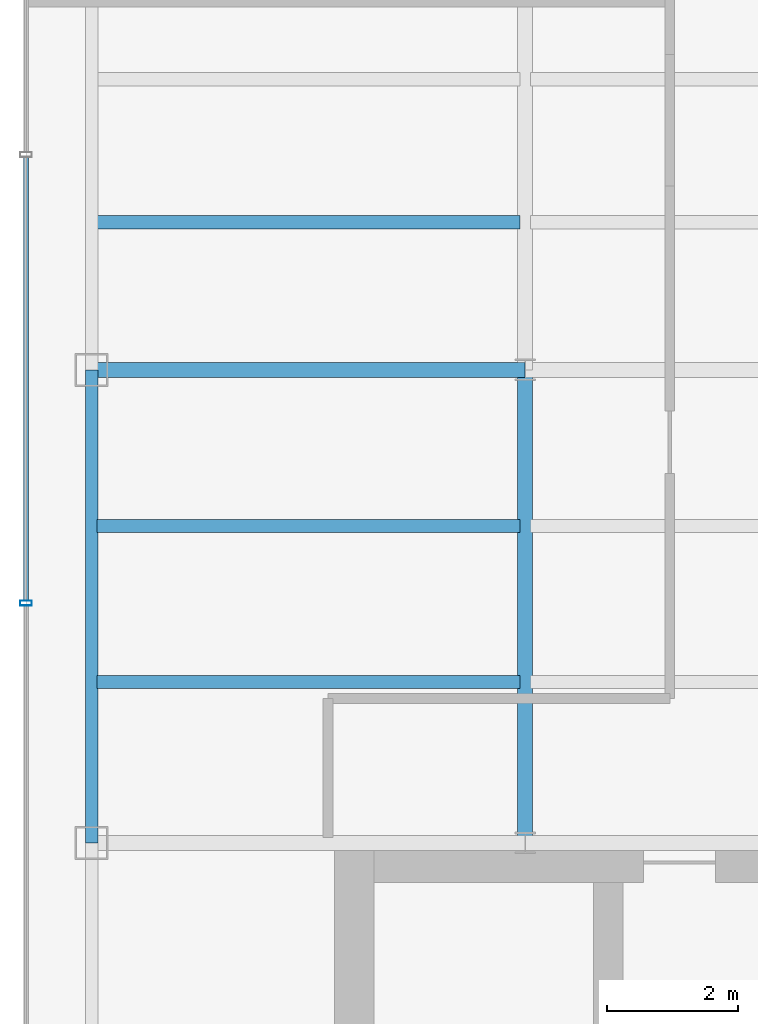
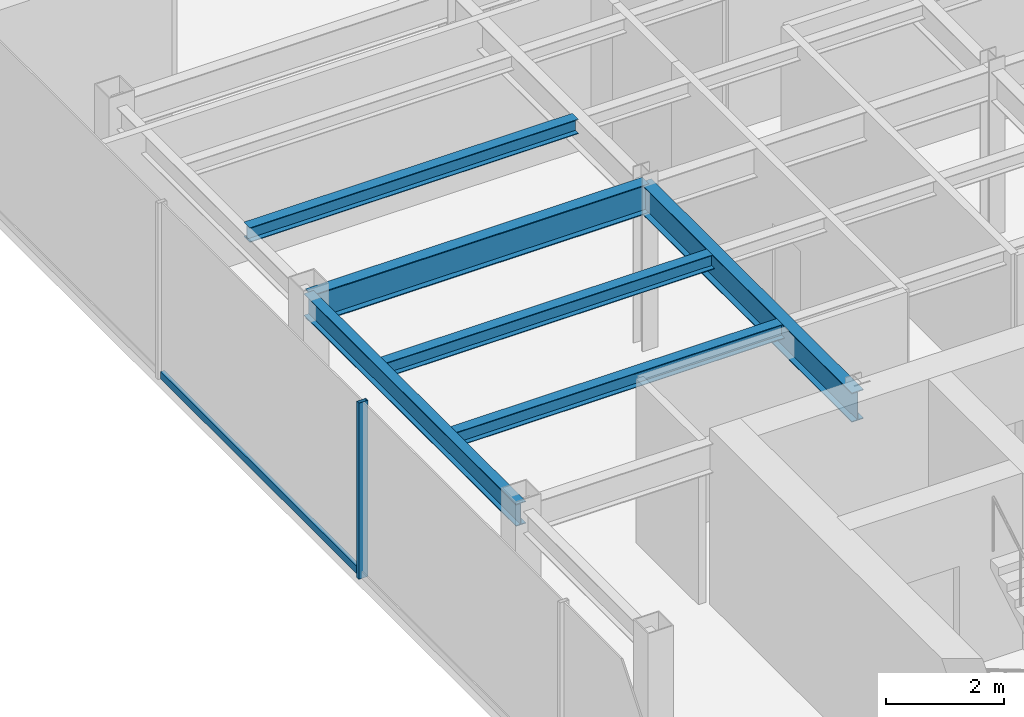
# One storey, part 5 of 22: 6 beams, 2 members, 1 element without a shape of its own.
"""IFC4 building model written with IfcOpenShell, lengths in metres."""

from ifc_helpers import new_model, si_unit, derived_unit, direction, frame, origin, origin_2d, place, context, subcontext, project, spatial, hollow_rectangle, i_section, extrude, source, transform, mapped, material, material_profile, profile_set, type_object, element, aggregate, save


model = new_model("IFC4")

# Units and contexts
model_context = context("Model", 3, precision=1e-05, world=origin(), true_north=direction((0.0, 1.0)))
body_context = subcontext(model_context, "Body", "Model", "MODEL_VIEW")
ifc_project = project(units=[si_unit("LENGTHUNIT", "METRE"), si_unit("AREAUNIT", "SQUARE_METRE"), si_unit("VOLUMEUNIT", "CUBIC_METRE"), si_unit("PLANEANGLEUNIT", "RADIAN"), si_unit("MASSUNIT", "GRAM", prefix="KILO"), derived_unit("THERMALTRANSMITTANCEUNIT", [(si_unit("POWERUNIT", "WATT"), 1), (si_unit("LENGTHUNIT", "METRE"), -2), (si_unit("THERMODYNAMICTEMPERATUREUNIT", "KELVIN"), -1)])], contexts=[model_context])

# Site, building, storey
site_placement = place(None, origin())
site = spatial("IfcSite", under=ifc_project, at=site_placement, CompositionType="ELEMENT")
building_placement = place(site_placement, origin())
building = spatial("IfcBuilding", under=site, at=building_placement, Name="Skarnbrae Concourse Arena and Tower", CompositionType="ELEMENT")
storey_placement = place(building_placement, frame((0.0, 0.0, 266.10009765625)))
storey = spatial("IfcBuildingStorey", under=building, at=storey_placement, Name="L69", CompositionType="ELEMENT", Elevation=266.10009765625)

# Beams
ifc_material_1 = material(Name="Steel CSA G40.21 350W", Category="steel")
ifc_material_profile_1 = material_profile(ifc_material_1, i_section(OverallWidth=0.22802734375, OverallDepth=0.60791015625, WebThickness=0.01123046875, FlangeThickness=0.017333984375, at=origin_2d()), Name="W610X113")
ifc_profile_set_1 = profile_set([ifc_material_profile_1], Name="Steel CSA G40.21 350W")
beam_type_1 = type_object("IfcBeamType", Name="BM-GIRD-W610X113", PredefinedType="BEAM", material=ifc_profile_set_1)
shared_shape_1 = source(origin(), body_context, "Body", "SweptSolid", [
    extrude(i_section(OverallWidth=0.22802734375, OverallDepth=0.60791015625, WebThickness=0.01123046875, FlangeThickness=0.017333984375, at=origin_2d()), origin(), (0.0, 0.0, 1.0), 6.60009765625),
])
beam_1_placement = place(storey_placement, frame((1.0, 21.199951171875, 3.095947265625), z_axis=(1.0, 0.0, 0.0), x_axis=(0.0, 1.0, 0.0)))
element("IfcBeam", 1, at=beam_1_placement, inside=storey, type_object=beam_type_1, Name="L69 Primary E-W girder Y21.2-1", PredefinedType="BEAM", context=body_context, shape_type="MappedRepresentation", body=[
    mapped(shared_shape_1, transform((0.0, 0.0, 0.0))),
])
ifc_material_profile_2 = material_profile(ifc_material_1, i_section(OverallWidth=0.19091796875, OverallDepth=0.4599609375, WebThickness=0.010009765625, FlangeThickness=0.01611328125, at=origin_2d()), Name="W460X82")
ifc_profile_set_2 = profile_set([ifc_material_profile_2], Name="Steel CSA G40.21 350W")
beam_type_2 = type_object("IfcBeamType", Name="BM-SPAN-W460X82", PredefinedType="SPANDREL", material=ifc_profile_set_2)
shared_shape_2 = source(origin(), body_context, "Body", "SweptSolid", [
    extrude(i_section(OverallWidth=0.19091796875, OverallDepth=0.4599609375, WebThickness=0.010009765625, FlangeThickness=0.01611328125, at=origin_2d()), origin(), (0.0, 0.0, 1.0), 7.199951171875),
])
beam_2_placement = place(storey_placement, frame((1.0, 14.0, 3.169921875), z_axis=(0.0, 1.0, 0.0), x_axis=(-1.0, 0.0, 0.0)))
element("IfcBeam", 2, at=beam_2_placement, inside=storey, type_object=beam_type_2, Name="L69 Perimeter spandrel X1.0-2", PredefinedType="SPANDREL", context=body_context, shape_type="MappedRepresentation", body=[
    mapped(shared_shape_2, transform((0.0, 0.0, 0.0))),
])
shared_shape_3 = source(origin(), body_context, "Body", "SweptSolid", [
    extrude(i_section(OverallWidth=0.22802734375, OverallDepth=0.60791015625, WebThickness=0.01123046875, FlangeThickness=0.017333984375, at=origin_2d()), origin(), (0.0, 0.0, 1.0), 7.199951171875),
])
beam_3_placement = place(storey_placement, frame((7.60009765625, 14.0, 3.095947265625), z_axis=(0.0, 1.0, 0.0), x_axis=(-1.0, 0.0, 0.0)))
element("IfcBeam", 3, at=beam_3_placement, inside=storey, type_object=beam_type_1, Name="L69 Primary N-S girder X7.6-1", PredefinedType="BEAM", context=body_context, shape_type="MappedRepresentation", body=[
    mapped(shared_shape_3, transform((0.0, 0.0, 0.0))),
])
ifc_material_profile_3 = material_profile(ifc_material_1, i_section(OverallWidth=0.202880859375, OverallDepth=0.302978515625, WebThickness=0.007568359375, FlangeThickness=0.01318359375, at=origin_2d()), Name="W310X60")
ifc_profile_set_3 = profile_set([ifc_material_profile_3], Name="Steel CSA G40.21 350W")
beam_type_3 = type_object("IfcBeamType", Name="BM-JOIST-W310X60", PredefinedType="JOIST", material=ifc_profile_set_3)
shared_shape_4 = source(origin(), body_context, "Body", "SweptSolid", [
    extrude(i_section(OverallWidth=0.202880859375, OverallDepth=0.302978515625, WebThickness=0.007568359375, FlangeThickness=0.01318359375, at=origin_2d()), origin(), (0.0, 0.0, 1.0), 6.43994140625),
])
for number, where, z_axis, x_axis, name in (
    (4, (1.080078125, 16.447998046875, 3.248291015625), (1.0, 0.0, 0.0), (0.0, 1.0, 0.0), "L69 Secondary floor joist 1.1.1"),
    (5, (1.080078125, 18.823974609375, 3.248291015625), (1.0, 0.0, 0.0), (0.0, 1.0, 0.0), "L69 Secondary floor joist 1.2.1"),
    (6, (1.080078125, 23.444091796875, 3.248291015625), (1.0, 0.0, 0.0), (0.0, 1.0, 0.0), "L69 Secondary floor joist 2.1.1"),
):
    element("IfcBeam", number, at=place(storey_placement, frame(where, z_axis=z_axis, x_axis=x_axis)), inside=storey, type_object=beam_type_3, Name=name, PredefinedType="JOIST", context=body_context, shape_type="MappedRepresentation", body=[
        mapped(shared_shape_4, transform((0.0, 0.0, 0.0))),
    ])

# Curtain wall, members
ifc_material_2 = material(Name="Bronze anodised aluminium 6063-T6", Category="aluminium")
curtain_wall_type = type_object("IfcCurtainWallType", Name="CW-SYS-05-HIGHZONE", PredefinedType="USERDEFINED", material=ifc_material_2)
curtain_wall_placement = place(storey_placement, origin())
curtain_wall = element("IfcCurtainWall", 7, at=curtain_wall_placement, inside=storey, type_object=curtain_wall_type, Name="L69 Unitised curtain wall CW-L69-E18", ObjectType="UNITISED CURTAIN WALL", PredefinedType="USERDEFINED")
ifc_material_profile_4 = material_profile(ifc_material_2, hollow_rectangle(XDim=0.074951171875, YDim=0.179931640625, WallThickness=0.00390625, at=origin_2d()), Name="ALU-MULL-75X180")
ifc_profile_set_4 = profile_set([ifc_material_profile_4], Name="Bronze anodised aluminium 6063-T6")
member_type_1 = type_object("IfcMemberType", Name="CWM-CW-05", PredefinedType="MULLION", material=ifc_profile_set_4)
shared_shape_5 = source(origin(), body_context, "Body", "SweptSolid", [
    extrude(hollow_rectangle(XDim=0.074951171875, YDim=0.179931640625, WallThickness=0.00390625, at=origin_2d()), origin(), (0.0, 0.0, 1.0), 3.64990234375),
])
member_1_placement = place(storey_placement, frame((0.0, 17.64990234375, 0.0), z_axis=(0.0, 0.0, 1.0), x_axis=(0.0, -1.0, 0.0)))
member_1 = element("IfcMember", 8, at=member_1_placement, type_object=member_type_1, Name="CW-L69-E18 Mullion 3", PredefinedType="MULLION", context=body_context, shape_type="MappedRepresentation", body=[
    mapped(shared_shape_5, transform((0.0, 0.0, 0.0))),
])
ifc_material_profile_5 = material_profile(ifc_material_2, hollow_rectangle(XDim=0.074951171875, YDim=0.14990234375, WallThickness=0.00390625, at=origin_2d()), Name="ALU-TRAN-75X150")
ifc_profile_set_5 = profile_set([ifc_material_profile_5], Name="Bronze anodised aluminium 6063-T6")
member_type_2 = type_object("IfcMemberType", Name="CWT-CW-05", PredefinedType="USERDEFINED", material=ifc_profile_set_5)
shared_shape_6 = source(origin(), body_context, "Body", "SweptSolid", [
    extrude(hollow_rectangle(XDim=0.074951171875, YDim=0.14990234375, WallThickness=0.00390625, at=origin_2d()), origin(), (0.0, 0.0, 1.0), 6.75),
])
member_2_placement = place(storey_placement, frame((0.0, 24.4375, 0.074951171875), z_axis=(0.0, -1.0, 0.0), x_axis=(1.0, 0.0, 0.0)))
member_2 = element("IfcMember", 9, at=member_2_placement, type_object=member_type_2, Name="CW-L69-E18 Transom 2", ObjectType="TRANSOM", PredefinedType="USERDEFINED", context=body_context, shape_type="MappedRepresentation", body=[
    mapped(shared_shape_6, transform((0.0, 0.0, 0.0))),
])
aggregate(curtain_wall, [member_1, member_2])

save(model, "model.ifc")
